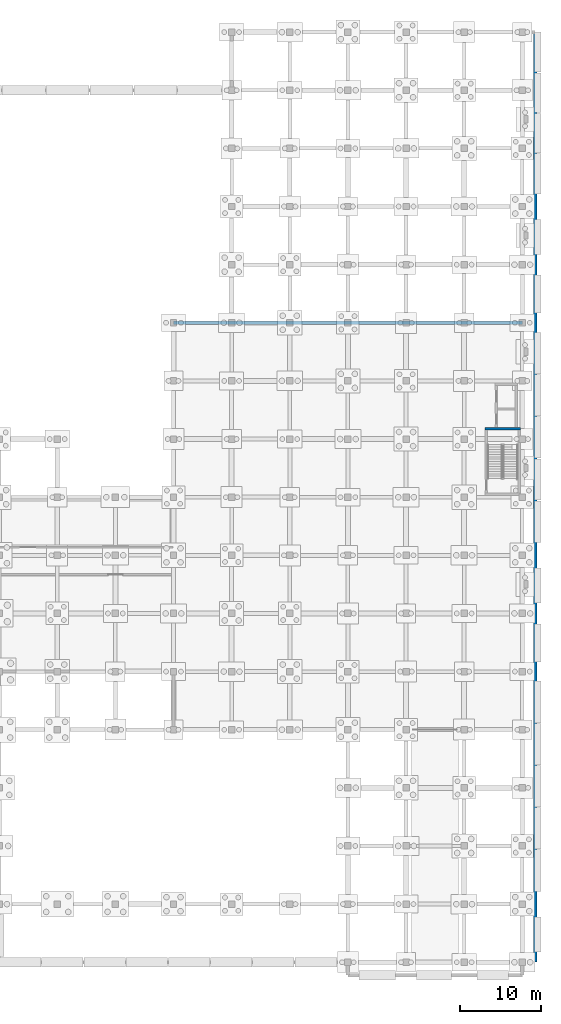
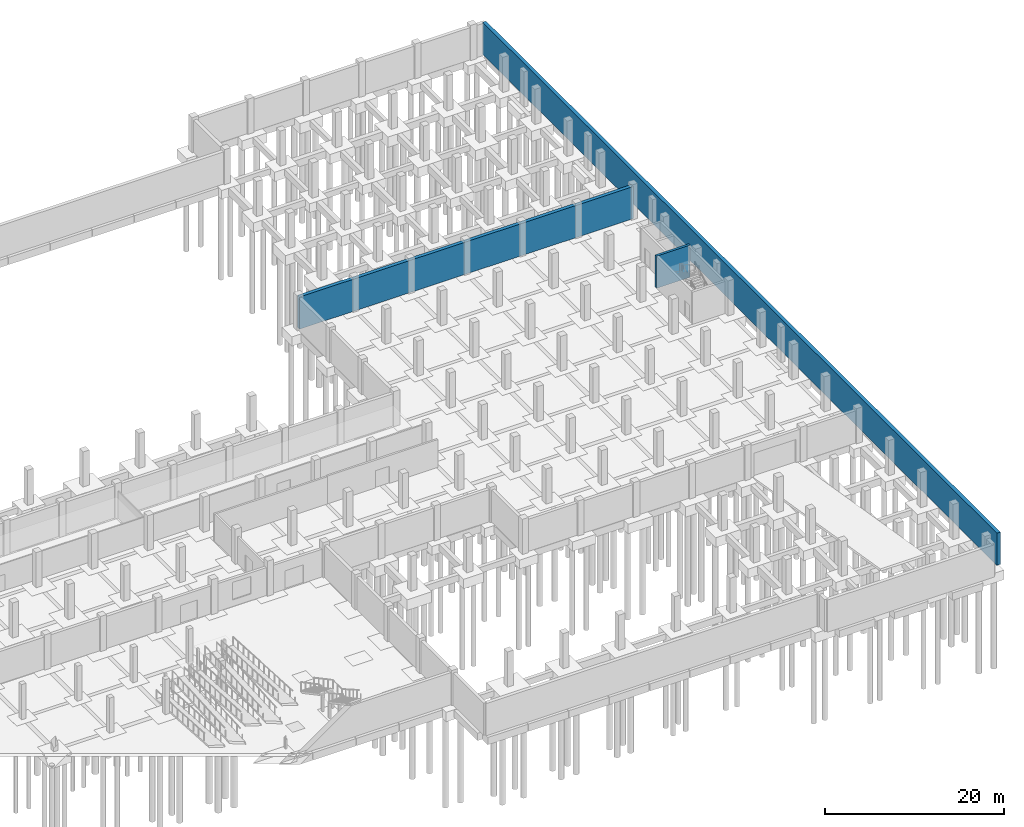
# One storey, part 29 of 38: 3 walls.
"""IFC4 building model written with IfcOpenShell, lengths in metres."""

from ifc_helpers import new_model, si_unit, direction, frame, frame_2d, origin, place, context, subcontext, project, spatial, rectangle, extrude, material, layer, layer_set, type_object, element, save


model = new_model("IFC4")

# Units and contexts
model_context = context("Model", 3, precision=1e-05, world=origin(), true_north=direction((0.0, 1.0)))
body_context = subcontext(model_context, "Body", "Model", "MODEL_VIEW")
ifc_project = project(units=[si_unit("LENGTHUNIT", "METRE"), si_unit("AREAUNIT", "SQUARE_METRE"), si_unit("VOLUMEUNIT", "CUBIC_METRE"), si_unit("PLANEANGLEUNIT", "RADIAN"), si_unit("MASSUNIT", "GRAM", prefix="KILO")], contexts=[model_context])

# Site, building, storey
site_placement = place(None, origin())
site = spatial("IfcSite", under=ifc_project, at=site_placement, CompositionType="ELEMENT")
building_placement = place(site_placement, origin())
building = spatial("IfcBuilding", under=site, at=building_placement, Name="Valkovuoma Quantum and Materials Research Institute", CompositionType="ELEMENT")
storey_placement = place(building_placement, frame((0.0, 0.0, -4.800048828125)))
storey = spatial("IfcBuildingStorey", under=building, at=storey_placement, Name="B1", CompositionType="ELEMENT", Elevation=-4.800048828125)

# Walls
ifc_material_1 = material(Name="Concrete C40/50", Category="concrete")
ifc_layer_1 = layer(ifc_material_1, 0.300048828125)
ifc_layer_set_1 = layer_set([ifc_layer_1], Name="Concrete C40/50")
wall_type_1 = type_object("IfcWallType", Name="Wall-W-COR300", PredefinedType="SHEAR", material=ifc_layer_set_1)
wall_1_placement = place(storey_placement, frame((161.0, 66.050048828125, 0.0), z_axis=(0.0, 0.0, 1.0), x_axis=(1.0, 0.0, 0.0)))
element("IfcWall", 1, at=wall_1_placement, inside=storey, type_object=wall_type_1, Name="B1 core wall 0200", PredefinedType="SHEAR", context=body_context, shape_type="SweptSolid", body=[
    extrude(rectangle(XDim=4.35009765625, YDim=0.300048828125, at=frame_2d((2.175048828125, 0.0))), origin(), (0.0, 0.0, 1.0), 4.400146484375),
])
ifc_material_2 = material(Name="Concrete C35/45", Category="concrete")
ifc_layer_2 = layer(ifc_material_2, 0.449951171875)
ifc_layer_set_2 = layer_set([ifc_layer_2], Name="Concrete C35/45")
wall_type_2 = type_object("IfcWallType", Name="Wall-W-RET450", PredefinedType="STANDARD", material=ifc_layer_set_2)
wall_2_placement = place(storey_placement, frame((167.199951171875, 0.0, 0.0), z_axis=(0.0, 0.0, 1.0), x_axis=(0.0, 1.0, 0.0)))
element("IfcWall", 2, at=wall_2_placement, inside=storey, type_object=wall_type_2, Name="B1 exterior wall 0007", PredefinedType="STANDARD", context=body_context, shape_type="SweptSolid", body=[
    extrude(rectangle(XDim=115.199951171875, YDim=0.449951171875, at=frame_2d((57.60009765625, 0.0))), origin(), (0.0, 0.0, 1.0), 4.400146484375),
])
wall_3_placement = place(storey_placement, frame((122.39990234375, 79.199951171875, 0.0), z_axis=(0.0, 0.0, 1.0), x_axis=(1.0, 0.0, 0.0)))
element("IfcWall", 3, at=wall_3_placement, inside=storey, type_object=wall_type_2, Name="B1 exterior wall 0020", PredefinedType="STANDARD", context=body_context, shape_type="SweptSolid", body=[
    extrude(rectangle(XDim=43.2001953125, YDim=0.449951171875, at=frame_2d((21.60009765625, 0.0))), origin(), (0.0, 0.0, 1.0), 4.400146484375),
])

save(model, "model.ifc")
